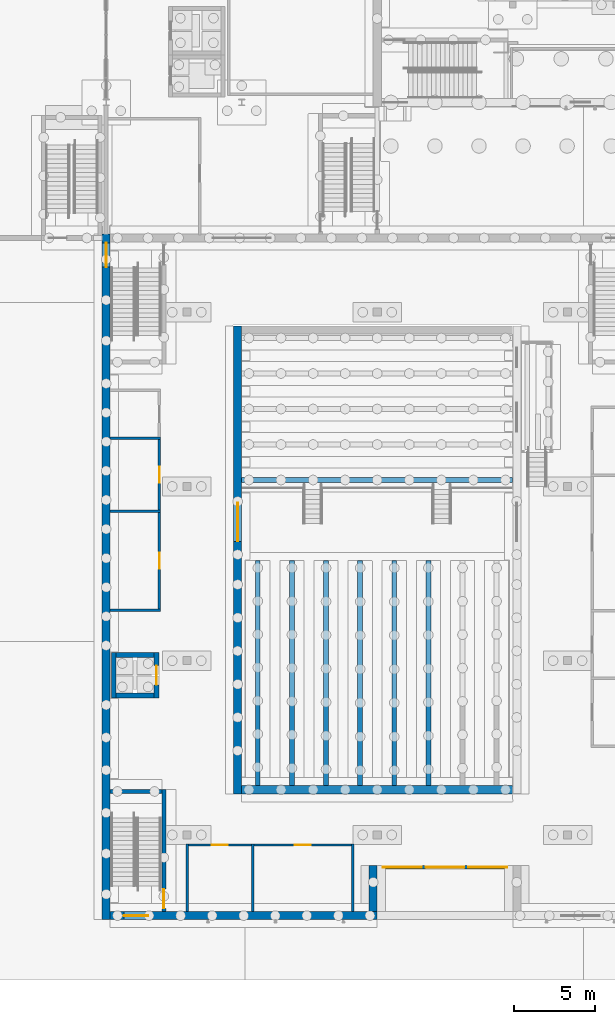
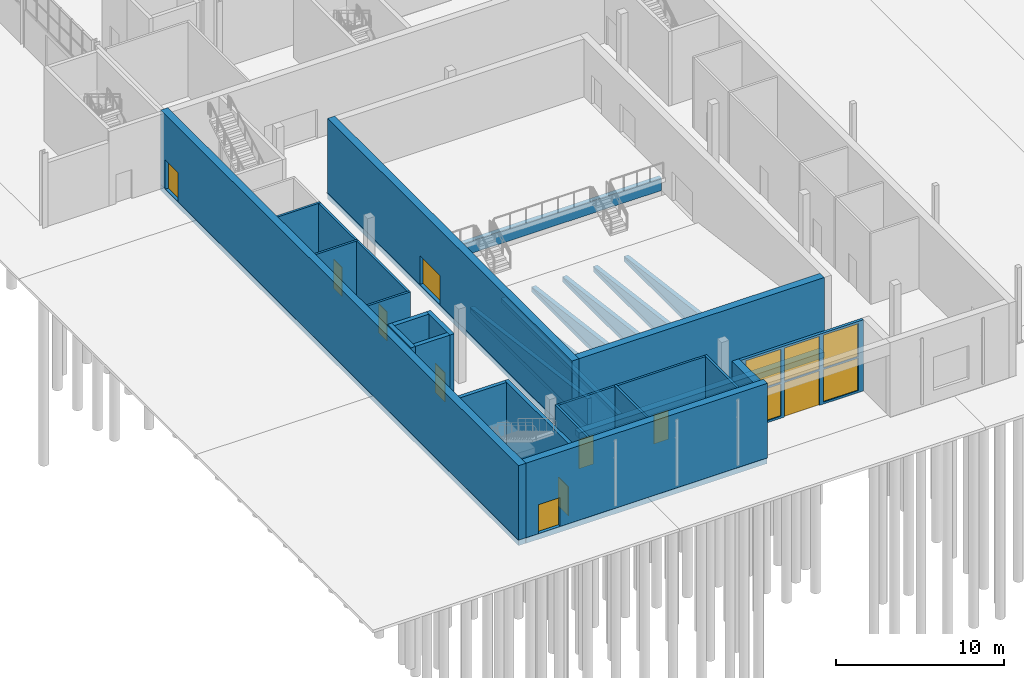
# One storey, part 57 of 127: 39 walls, 10 doors, 5 windows, 15 openings.
"""IFC4 building model written with IfcOpenShell, lengths in metres."""

from ifc_helpers import new_model, si_unit, direction, frame, frame_2d, origin, place, context, subcontext, project, spatial, polyline, rectangle, outline, extrude, material, layer, layer_set, type_object, element, fill, save


model = new_model("IFC4")

# Units and contexts
model_context = context("Model", 3, precision=1e-05, world=origin(), true_north=direction((0.0, 1.0)))
body_context = subcontext(model_context, "Body", "Model", "MODEL_VIEW")
ifc_project = project(units=[si_unit("LENGTHUNIT", "METRE"), si_unit("AREAUNIT", "SQUARE_METRE"), si_unit("VOLUMEUNIT", "CUBIC_METRE"), si_unit("PLANEANGLEUNIT", "RADIAN"), si_unit("MASSUNIT", "GRAM", prefix="KILO")], contexts=[model_context])

# Site, building, storey
site_placement = place(None, origin())
site = spatial("IfcSite", under=ifc_project, at=site_placement, CompositionType="ELEMENT")
building_placement = place(site_placement, origin())
building = spatial("IfcBuilding", under=site, at=building_placement, Name="Ljudholm Concert House", CompositionType="ELEMENT")
storey_placement = place(building_placement, origin())
storey = spatial("IfcBuildingStorey", under=building, at=storey_placement, Name="L00", CompositionType="ELEMENT", Elevation=0.0)

# Wall, opening, door
ifc_material_1 = material(Name="Gypsum board on steel studs", Category="steel")
ifc_layer_1 = layer(ifc_material_1, 0.14990234375)
ifc_layer_set_1 = layer_set([ifc_layer_1], Name="Gypsum board on steel studs")
wall_type_1 = type_object("IfcWallType", Name="GYPSUM PARTITION 150", PredefinedType="PARTITIONING", material=ifc_layer_set_1)
wall_1_placement = place(storey_placement, frame((17.5, 8.375, 0.0), z_axis=(0.0, 0.0, 1.0), x_axis=(1.0, 0.0, 0.0)))
wall_1 = element("IfcWall", 1, at=wall_1_placement, inside=storey, type_object=wall_type_1, Name="Box Office partition", PredefinedType="PARTITIONING", context=body_context, shape_type="SweptSolid", body=[
    extrude(rectangle(XDim=3.89990234375, YDim=0.14990234375, at=frame_2d((1.949951171875, 0.0))), origin(), (0.0, 0.0, 1.0), 5.14990234375),
])
opening_1_placement = place(wall_1_placement, frame((1.449951171875, 0.0, 0.0)))
opening_1 = element("IfcOpeningElement", 2, at=opening_1_placement, cuts=wall_1, Name="Opening D-C00-004", PredefinedType="OPENING", context=body_context, shape_type="SweptSolid", body=[
    extrude(rectangle(XDim=1.0, YDim=2.10009765625, at=frame_2d((0.5, 1.050048828125))), frame((0.0, 0.0849609375, 0.0), z_axis=(0.0, -1.0, 0.0), x_axis=(1.0, 0.0, 0.0)), (0.0, 0.0, 1.0), 0.169921875),
])
ifc_material_2 = material(Name="Hollow metal door in steel frame", Category="steel")
door_type_1 = type_object("IfcDoorType", Name="SWING DOOR 1000x2100", OperationType="SINGLE_SWING_LEFT", PredefinedType="DOOR", material=ifc_material_2)
door_1_placement = place(opening_1_placement, frame((1.0, 0.0, 0.0), z_axis=(0.0, 0.0, 1.0), x_axis=(-1.0, 0.0, 0.0)))
door_1 = element("IfcDoor", 3, at=door_1_placement, inside=storey, type_object=door_type_1, Name="Box Office door", OperationType="SINGLE_SWING_LEFT", OverallHeight=2.10009765625, OverallWidth=1.0, PredefinedType="DOOR", context=body_context, shape_type="SweptSolid", body=[
    extrude(rectangle(XDim=1.0, YDim=2.10009765625, at=frame_2d((0.5, 1.050048828125))), frame((0.0, 0.02490234375, 0.0), z_axis=(0.0, -1.0, 0.0), x_axis=(1.0, 0.0, 0.0)), (0.0, 0.0, 1.0), 0.050048828125),
])
fill(opening_1, door_1)

# Walls
for number, where, z_axis, x_axis, name in (
    (4, (17.425048828125, 4.25, 0.0), (0.0, 0.0, 1.0), (0.0, 1.0, 0.0), "Box Office partition"),
    (5, (21.47509765625, 4.25, 0.0), (0.0, 0.0, 1.0), (0.0, 1.0, 0.0), "Box Office partition"),
):
    element("IfcWall", number, at=place(storey_placement, frame(where, z_axis=z_axis, x_axis=x_axis)), inside=storey, type_object=wall_type_1, Name=name, PredefinedType="PARTITIONING", context=body_context, shape_type="SweptSolid", body=[
        extrude(rectangle(XDim=4.199951171875, YDim=0.14990234375, at=frame_2d((2.10009765625, 0.0))), origin(), (0.0, 0.0, 1.0), 5.14990234375),
    ])

# Wall, opening, door
wall_2_placement = place(storey_placement, frame((21.550048828125, 8.375, 0.0), z_axis=(0.0, 0.0, 1.0), x_axis=(1.0, 0.0, 0.0)))
wall_2 = element("IfcWall", 6, at=wall_2_placement, inside=storey, type_object=wall_type_1, Name="Cloakroom partition", PredefinedType="PARTITIONING", context=body_context, shape_type="SweptSolid", body=[
    extrude(rectangle(XDim=6.050048828125, YDim=0.14990234375, at=frame_2d((3.02490234375, 0.0))), origin(), (0.0, 0.0, 1.0), 5.14990234375),
])
opening_2_placement = place(wall_2_placement, frame((2.52490234375, 0.0, 0.0)))
opening_2 = element("IfcOpeningElement", 7, at=opening_2_placement, cuts=wall_2, Name="Opening D-C00-005", PredefinedType="OPENING", context=body_context, shape_type="SweptSolid", body=[
    extrude(rectangle(XDim=1.0, YDim=2.10009765625, at=frame_2d((0.5, 1.050048828125))), frame((0.0, 0.0849609375, 0.0), z_axis=(0.0, -1.0, 0.0), x_axis=(1.0, 0.0, 0.0)), (0.0, 0.0, 1.0), 0.169921875),
])
door_2_placement = place(opening_2_placement, frame((1.0, 0.0, 0.0), z_axis=(0.0, 0.0, 1.0), x_axis=(-1.0, 0.0, 0.0)))
door_2 = element("IfcDoor", 8, at=door_2_placement, inside=storey, type_object=door_type_1, Name="Cloakroom door", OperationType="SINGLE_SWING_LEFT", OverallHeight=2.10009765625, OverallWidth=1.0, PredefinedType="DOOR", context=body_context, shape_type="SweptSolid", body=[
    extrude(rectangle(XDim=1.0, YDim=2.10009765625, at=frame_2d((0.5, 1.050048828125))), frame((0.0, 0.02490234375, 0.0), z_axis=(0.0, -1.0, 0.0), x_axis=(1.0, 0.0, 0.0)), (0.0, 0.0, 1.0), 0.050048828125),
])
fill(opening_2, door_2)

# Wall
wall_3_placement = place(storey_placement, frame((27.675048828125, 4.25, 0.0), z_axis=(0.0, 0.0, 1.0), x_axis=(0.0, 1.0, 0.0)))
element("IfcWall", 9, at=wall_3_placement, inside=storey, type_object=wall_type_1, Name="Cloakroom partition", PredefinedType="PARTITIONING", context=body_context, shape_type="SweptSolid", body=[
    extrude(rectangle(XDim=4.199951171875, YDim=0.14990234375, at=frame_2d((2.10009765625, 0.0))), origin(), (0.0, 0.0, 1.0), 5.14990234375),
])

# Wall, opening, door
wall_4_placement = place(storey_placement, frame((15.699951171875, 23.0, 0.0), z_axis=(0.0, 0.0, 1.0), x_axis=(0.0, 1.0, 0.0)))
wall_4 = element("IfcWall", 10, at=wall_4_placement, inside=storey, type_object=wall_type_1, Name="Women's WC partition", PredefinedType="PARTITIONING", context=body_context, shape_type="SweptSolid", body=[
    extrude(rectangle(XDim=6.0, YDim=0.14990234375, at=frame_2d((3.0, 0.0))), origin(), (0.0, 0.0, 1.0), 5.14990234375),
])
opening_3_placement = place(wall_4_placement, frame((2.5, 0.0, 0.0)))
opening_3 = element("IfcOpeningElement", 11, at=opening_3_placement, cuts=wall_4, Name="Opening D-C00-006", PredefinedType="OPENING", context=body_context, shape_type="SweptSolid", body=[
    extrude(rectangle(XDim=1.0, YDim=2.10009765625, at=frame_2d((0.5, 1.050048828125))), frame((0.0, 0.0849609375, 0.0), z_axis=(0.0, -1.0, 0.0), x_axis=(1.0, 0.0, 0.0)), (0.0, 0.0, 1.0), 0.169921875),
])
door_3_placement = place(opening_3_placement, origin())
door_3 = element("IfcDoor", 12, at=door_3_placement, inside=storey, type_object=door_type_1, Name="Women's WC door", OperationType="SINGLE_SWING_RIGHT", OverallHeight=2.10009765625, OverallWidth=1.0, PredefinedType="DOOR", context=body_context, shape_type="SweptSolid", body=[
    extrude(rectangle(XDim=1.0, YDim=2.10009765625, at=frame_2d((0.5, 1.050048828125))), frame((0.0, 0.02490234375, 0.0), z_axis=(0.0, -1.0, 0.0), x_axis=(1.0, 0.0, 0.0)), (0.0, 0.0, 1.0), 0.050048828125),
])
fill(opening_3, door_3)

# Walls
for number, where, z_axis, x_axis, name in (
    (13, (12.64990234375, 22.925048828125, 0.0), (0.0, 0.0, 1.0), (1.0, 0.0, 0.0), "Women's WC partition"),
    (14, (12.64990234375, 29.074951171875, 0.0), (0.0, 0.0, 1.0), (1.0, 0.0, 0.0), "Women's WC partition"),
):
    element("IfcWall", number, at=place(storey_placement, frame(where, z_axis=z_axis, x_axis=x_axis)), inside=storey, type_object=wall_type_1, Name=name, PredefinedType="PARTITIONING", context=body_context, shape_type="SweptSolid", body=[
        extrude(rectangle(XDim=3.125, YDim=0.14990234375, at=frame_2d((1.5625, 0.0))), origin(), (0.0, 0.0, 1.0), 5.14990234375),
    ])

# Wall, opening, door
wall_5_placement = place(storey_placement, frame((15.699951171875, 29.14990234375, 0.0), z_axis=(0.0, 0.0, 1.0), x_axis=(0.0, 1.0, 0.0)))
wall_5 = element("IfcWall", 15, at=wall_5_placement, inside=storey, type_object=wall_type_1, Name="Men's WC partition", PredefinedType="PARTITIONING", context=body_context, shape_type="SweptSolid", body=[
    extrude(rectangle(XDim=4.35009765625, YDim=0.14990234375, at=frame_2d((2.175048828125, 0.0))), origin(), (0.0, 0.0, 1.0), 5.14990234375),
])
opening_4_placement = place(wall_5_placement, frame((1.675048828125, 0.0, 0.0)))
opening_4 = element("IfcOpeningElement", 16, at=opening_4_placement, cuts=wall_5, Name="Opening D-C00-007", PredefinedType="OPENING", context=body_context, shape_type="SweptSolid", body=[
    extrude(rectangle(XDim=1.0, YDim=2.10009765625, at=frame_2d((0.5, 1.050048828125))), frame((0.0, 0.0849609375, 0.0), z_axis=(0.0, -1.0, 0.0), x_axis=(1.0, 0.0, 0.0)), (0.0, 0.0, 1.0), 0.169921875),
])
door_4_placement = place(opening_4_placement, origin())
door_4 = element("IfcDoor", 17, at=door_4_placement, inside=storey, type_object=door_type_1, Name="Men's WC door", OperationType="SINGLE_SWING_RIGHT", OverallHeight=2.10009765625, OverallWidth=1.0, PredefinedType="DOOR", context=body_context, shape_type="SweptSolid", body=[
    extrude(rectangle(XDim=1.0, YDim=2.10009765625, at=frame_2d((0.5, 1.050048828125))), frame((0.0, 0.02490234375, 0.0), z_axis=(0.0, -1.0, 0.0), x_axis=(1.0, 0.0, 0.0)), (0.0, 0.0, 1.0), 0.050048828125),
])
fill(opening_4, door_4)

# Wall
wall_6_placement = place(storey_placement, frame((12.64990234375, 33.574951171875, 0.0), z_axis=(0.0, 0.0, 1.0), x_axis=(1.0, 0.0, 0.0)))
element("IfcWall", 18, at=wall_6_placement, inside=storey, type_object=wall_type_1, Name="Men's WC partition", PredefinedType="PARTITIONING", context=body_context, shape_type="SweptSolid", body=[
    extrude(rectangle(XDim=3.125, YDim=0.14990234375, at=frame_2d((1.5625, 0.0))), origin(), (0.0, 0.0, 1.0), 5.14990234375),
])

# Wall, opening, door
ifc_material_3 = material(Name="Concrete 6,500 psi", Category="concrete")
ifc_layer_2 = layer(ifc_material_3, 0.25)
ifc_layer_set_2 = layer_set([ifc_layer_2], Name="Concrete 6,500 psi")
wall_type_2 = type_object("IfcWallType", Name="RC WALL 250", PredefinedType="SOLIDWALL", material=ifc_layer_set_2)
wall_7_placement = place(storey_placement, frame((15.97509765625, 4.25, 0.0), z_axis=(0.0, 0.0, 1.0), x_axis=(0.0, 1.0, 0.0)))
wall_7 = element("IfcWall", 19, at=wall_7_placement, inside=storey, type_object=wall_type_2, Name="Stair enclosure wall EC1", PredefinedType="SOLIDWALL", context=body_context, shape_type="SweptSolid", body=[
    extrude(rectangle(XDim=7.570068359375, YDim=0.25, at=frame_2d((3.78515625, 0.0))), origin(), (0.0, 0.0, 1.0), 5.39990234375),
])
opening_5_placement = place(wall_7_placement, frame((0.199951171875, 0.0, 0.0)))
opening_5 = element("IfcOpeningElement", 20, at=opening_5_placement, cuts=wall_7, Name="Opening D-C00-013", PredefinedType="OPENING", context=body_context, shape_type="SweptSolid", body=[
    extrude(rectangle(XDim=1.199951171875, YDim=2.10009765625, at=frame_2d((0.60009765625, 1.050048828125))), frame((0.0, 0.135009765625, 0.0), z_axis=(0.0, -1.0, 0.0), x_axis=(1.0, 0.0, 0.0)), (0.0, 0.0, 1.0), 0.27001953125),
])
ifc_material_4 = material(Name="Hollow metal door in steel frame", Category="steel")
door_type_2 = type_object("IfcDoorType", Name="SWING DOOR 1200x2100", OperationType="SINGLE_SWING_LEFT", PredefinedType="DOOR", material=ifc_material_4)
door_5_placement = place(opening_5_placement, origin())
door_5 = element("IfcDoor", 21, at=door_5_placement, inside=storey, type_object=door_type_2, Name="Exit stair EC1 door", OperationType="SINGLE_SWING_RIGHT", OverallHeight=2.10009765625, OverallWidth=1.199951171875, PredefinedType="DOOR", context=body_context, shape_type="SweptSolid", body=[
    extrude(rectangle(XDim=1.199951171875, YDim=2.10009765625, at=frame_2d((0.60009765625, 1.050048828125))), frame((0.0, 0.02490234375, 0.0), z_axis=(0.0, -1.0, 0.0), x_axis=(1.0, 0.0, 0.0)), (0.0, 0.0, 1.0), 0.050048828125),
])
fill(opening_5, door_5)

# Walls
wall_8_placement = place(storey_placement, frame((12.64990234375, 11.695068359375, 0.0), z_axis=(0.0, 0.0, 1.0), x_axis=(1.0, 0.0, 0.0)))
element("IfcWall", 22, at=wall_8_placement, inside=storey, type_object=wall_type_2, Name="Stair enclosure wall EC1", PredefinedType="SOLIDWALL", context=body_context, shape_type="SweptSolid", body=[
    extrude(rectangle(XDim=3.2001953125, YDim=0.25, at=frame_2d((1.60009765625, 0.0))), origin(), (0.0, 0.0, 1.0), 5.39990234375),
])
ifc_material_5 = material(Name="Concrete 6,500 psi", Category="concrete")
ifc_layer_3 = layer(ifc_material_5, 0.300048828125)
ifc_layer_set_3 = layer_set([ifc_layer_3], Name="Concrete 6,500 psi")
wall_type_3 = type_object("IfcWallType", Name="RC WALL 300", PredefinedType="SOLIDWALL", material=ifc_layer_set_3)
wall_9_placement = place(storey_placement, frame((12.875, 17.5, 0.0), z_axis=(0.0, 0.0, 1.0), x_axis=(0.0, 1.0, 0.0)))
element("IfcWall", 23, at=wall_9_placement, inside=storey, type_object=wall_type_3, Name="Lift shaft wall", PredefinedType="SOLIDWALL", context=body_context, shape_type="SweptSolid", body=[
    extrude(rectangle(XDim=2.800048828125, YDim=0.300048828125, at=frame_2d((1.39990234375, 0.0))), origin(), (0.0, 0.0, 1.0), 5.39990234375),
])

# Wall, opening, door
wall_10_placement = place(storey_placement, frame((15.52490234375, 17.5, 0.0), z_axis=(0.0, 0.0, 1.0), x_axis=(0.0, 1.0, 0.0)))
wall_10 = element("IfcWall", 24, at=wall_10_placement, inside=storey, type_object=wall_type_3, Name="Lift shaft wall", PredefinedType="SOLIDWALL", context=body_context, shape_type="SweptSolid", body=[
    extrude(rectangle(XDim=2.800048828125, YDim=0.300048828125, at=frame_2d((1.39990234375, 0.0))), origin(), (0.0, 0.0, 1.0), 5.39990234375),
])
opening_6_placement = place(wall_10_placement, frame((0.800048828125, 0.0, 0.0)))
opening_6 = element("IfcOpeningElement", 25, at=opening_6_placement, cuts=wall_10, Name="Opening LD-C00-001", PredefinedType="OPENING", context=body_context, shape_type="SweptSolid", body=[
    extrude(rectangle(XDim=1.199951171875, YDim=2.10009765625, at=frame_2d((0.60009765625, 1.050048828125))), frame((0.0, 0.159912109375, 0.0), z_axis=(0.0, -1.0, 0.0), x_axis=(1.0, 0.0, 0.0)), (0.0, 0.0, 1.0), 0.320068359375),
])
ifc_material_6 = material(Name="Stainless steel sliding landing door, fire-rated", Category="steel")
door_type_3 = type_object("IfcDoorType", Name="LIFT DOOR 1200x2100", OperationType="SLIDING_TO_LEFT", PredefinedType="DOOR", material=ifc_material_6)
door_6_placement = place(opening_6_placement, origin())
door_6 = element("IfcDoor", 26, at=door_6_placement, inside=storey, type_object=door_type_3, Name="Lift landing door", OperationType="SLIDING_TO_LEFT", OverallHeight=2.10009765625, OverallWidth=1.199951171875, PredefinedType="DOOR", context=body_context, shape_type="SweptSolid", body=[
    extrude(rectangle(XDim=1.199951171875, YDim=2.10009765625, at=frame_2d((0.60009765625, 1.050048828125))), frame((0.0, 0.02490234375, 0.0), z_axis=(0.0, -1.0, 0.0), x_axis=(1.0, 0.0, 0.0)), (0.0, 0.0, 1.0), 0.050048828125),
])
fill(opening_6, door_6)

# Walls
for number, where, z_axis, x_axis, name in (
    (27, (13.02490234375, 17.64990234375, 0.0), (0.0, 0.0, 1.0), (1.0, 0.0, 0.0), "Lift shaft wall"),
    (28, (13.02490234375, 20.14990234375, 0.0), (0.0, 0.0, 1.0), (1.0, 0.0, 0.0), "Lift shaft wall"),
):
    element("IfcWall", number, at=place(storey_placement, frame(where, z_axis=z_axis, x_axis=x_axis)), inside=storey, type_object=wall_type_3, Name=name, PredefinedType="SOLIDWALL", context=body_context, shape_type="SweptSolid", body=[
        extrude(rectangle(XDim=2.35009765625, YDim=0.300048828125, at=frame_2d((1.175048828125, 0.0))), origin(), (0.0, 0.0, 1.0), 5.39990234375),
    ])
wall_11_placement = place(storey_placement, frame((20.800048828125, 31.0, 0.0), z_axis=(0.0, 0.0, 1.0), x_axis=(1.0, 0.0, 0.0)))
element("IfcWall", 29, at=wall_11_placement, inside=storey, type_object=wall_type_3, Name="Platform support wall", PredefinedType="SOLIDWALL", context=body_context, shape_type="SweptSolid", body=[
    extrude(rectangle(XDim=16.800048828125, YDim=0.300048828125, at=frame_2d((8.39990234375, 0.0))), origin(), (0.0, 0.0, 1.0), 0.89990234375),
])
for number, where, z_axis, x_axis, name in (
    (30, (21.800048828125, 12.050048828125, 0.0), (0.0, 0.0, 1.0), (0.0, 1.0, 0.0), "Stalls support wall"),
    (31, (23.914306640625, 12.050048828125, 0.0), (0.0, 0.0, 1.0), (0.0, 1.0, 0.0), "Stalls support wall"),
    (32, (26.028564453125, 12.050048828125, 0.0), (0.0, 0.0, 1.0), (0.0, 1.0, 0.0), "Stalls support wall"),
    (33, (28.142822265625, 12.050048828125, 0.0), (0.0, 0.0, 1.0), (0.0, 1.0, 0.0), "Stalls support wall"),
    (34, (30.257080078125, 12.050048828125, 0.0), (0.0, 0.0, 1.0), (0.0, 1.0, 0.0), "Stalls support wall"),
    (35, (32.371337890625, 12.050048828125, 0.0), (0.0, 0.0, 1.0), (0.0, 1.0, 0.0), "Stalls support wall"),
):
    element("IfcWall", number, at=place(storey_placement, frame(where, z_axis=z_axis, x_axis=x_axis)), inside=storey, type_object=wall_type_3, Name=name, PredefinedType="SOLIDWALL", context=body_context, shape_type="SweptSolid", body=[
        extrude(outline(polyline([(0.0, 0.0), (13.949951171875, 0.0), (13.949951171875, 0.06494140625), (0.0, 1.87841796875), (0.0, 0.0)])), frame((0.0, 0.14990234375, 0.0), z_axis=(0.0, -1.0, 0.0), x_axis=(1.0, 0.0, 0.0)), (0.0, 0.0, 1.0), 0.300048828125),
    ])
for number, where, z_axis, x_axis, name in (
    (36, (21.800048828125, 12.050048828125, -0.300048828125), (0.0, 0.0, 1.0), (0.0, 1.0, 0.0), "Wall stem"),
    (37, (23.914306640625, 12.050048828125, -0.300048828125), (0.0, 0.0, 1.0), (0.0, 1.0, 0.0), "Wall stem"),
    (38, (26.028564453125, 12.050048828125, -0.300048828125), (0.0, 0.0, 1.0), (0.0, 1.0, 0.0), "Wall stem"),
    (39, (28.142822265625, 12.050048828125, -0.300048828125), (0.0, 0.0, 1.0), (0.0, 1.0, 0.0), "Wall stem"),
    (40, (30.257080078125, 12.050048828125, -0.300048828125), (0.0, 0.0, 1.0), (0.0, 1.0, 0.0), "Wall stem"),
    (41, (32.371337890625, 12.050048828125, -0.300048828125), (0.0, 0.0, 1.0), (0.0, 1.0, 0.0), "Wall stem"),
):
    element("IfcWall", number, at=place(storey_placement, frame(where, z_axis=z_axis, x_axis=x_axis)), inside=storey, type_object=wall_type_3, Name=name, PredefinedType="SOLIDWALL", context=body_context, shape_type="SweptSolid", body=[
        extrude(rectangle(XDim=13.929931640625, YDim=0.300048828125, at=frame_2d((6.96484375, 0.0))), origin(), (0.0, 0.0, 1.0), 0.300048828125),
    ])

# Wall, opening, door
ifc_material_7 = material(Name="Concrete 6,500 psi", Category="concrete")
ifc_layer_4 = layer(ifc_material_7, 0.5)
ifc_layer_set_4 = layer_set([ifc_layer_4], Name="Concrete 6,500 psi")
wall_type_4 = type_object("IfcWallType", Name="RC WALL 500", PredefinedType="SOLIDWALL", material=ifc_layer_set_4)
wall_12_placement = place(storey_placement, frame((12.39990234375, 3.75, 0.0), z_axis=(0.0, 0.0, 1.0), x_axis=(0.0, 1.0, 0.0)))
wall_12 = element("IfcWall", 42, at=wall_12_placement, inside=storey, type_object=wall_type_4, Name="Outer wall W", PredefinedType="SOLIDWALL", context=body_context, shape_type="SweptSolid", body=[
    extrude(rectangle(XDim=42.5, YDim=0.5, at=frame_2d((21.25, 0.0))), origin(), (0.0, 0.0, 1.0), 5.39990234375),
])
opening_7_placement = place(wall_12_placement, frame((40.449951171875, 0.0, 0.0)))
opening_7 = element("IfcOpeningElement", 43, at=opening_7_placement, cuts=wall_12, Name="Opening D-C00-016", PredefinedType="OPENING", context=body_context, shape_type="SweptSolid", body=[
    extrude(rectangle(XDim=1.5, YDim=2.10009765625, at=frame_2d((0.75, 1.050048828125))), frame((0.0, 0.260009765625, 0.0), z_axis=(0.0, -1.0, 0.0), x_axis=(1.0, 0.0, 0.0)), (0.0, 0.0, 1.0), 0.52001953125),
])
ifc_material_8 = material(Name="Hollow metal door in steel frame", Category="steel")
door_type_4 = type_object("IfcDoorType", Name="DOUBLE DOOR 1500x2100", OperationType="DOUBLE_DOOR_SINGLE_SWING", PredefinedType="DOOR", material=ifc_material_8)
door_7_placement = place(opening_7_placement, origin())
door_7 = element("IfcDoor", 44, at=door_7_placement, inside=storey, type_object=door_type_4, Name="Final exit EC2", OperationType="DOUBLE_DOOR_SINGLE_SWING", OverallHeight=2.10009765625, OverallWidth=1.5, PredefinedType="DOOR", context=body_context, shape_type="SweptSolid", body=[
    extrude(rectangle(XDim=1.5, YDim=2.10009765625, at=frame_2d((0.75, 1.050048828125))), frame((0.0, 0.02490234375, 0.0), z_axis=(0.0, -1.0, 0.0), x_axis=(1.0, 0.0, 0.0)), (0.0, 0.0, 1.0), 0.050048828125),
])
fill(opening_7, door_7)

wall_13_placement = place(storey_placement, frame((12.64990234375, 4.0, 0.0), z_axis=(0.0, 0.0, 1.0), x_axis=(1.0, 0.0, 0.0)))
wall_13 = element("IfcWall", 45, at=wall_13_placement, inside=storey, type_object=wall_type_4, Name="Outer wall S", PredefinedType="SOLIDWALL", context=body_context, shape_type="SweptSolid", body=[
    extrude(rectangle(XDim=16.550048828125, YDim=0.5, at=frame_2d((8.27490234375, 0.0))), origin(), (0.0, 0.0, 1.0), 5.39990234375),
])
opening_8_placement = place(wall_13_placement, frame((0.85009765625, 0.0, 0.0)))
opening_8 = element("IfcOpeningElement", 46, at=opening_8_placement, cuts=wall_13, Name="Opening D-C00-014", PredefinedType="OPENING", context=body_context, shape_type="SweptSolid", body=[
    extrude(rectangle(XDim=1.5, YDim=2.10009765625, at=frame_2d((0.75, 1.050048828125))), frame((0.0, 0.260009765625, 0.0), z_axis=(0.0, -1.0, 0.0), x_axis=(1.0, 0.0, 0.0)), (0.0, 0.0, 1.0), 0.52001953125),
])
door_8_placement = place(opening_8_placement, frame((1.5, 0.0, 0.0), z_axis=(0.0, 0.0, 1.0), x_axis=(-1.0, 0.0, 0.0)))
door_8 = element("IfcDoor", 47, at=door_8_placement, inside=storey, type_object=door_type_4, Name="Final exit EC1", OperationType="DOUBLE_DOOR_SINGLE_SWING", OverallHeight=2.10009765625, OverallWidth=1.5, PredefinedType="DOOR", context=body_context, shape_type="SweptSolid", body=[
    extrude(rectangle(XDim=1.5, YDim=2.10009765625, at=frame_2d((0.75, 1.050048828125))), frame((0.0, 0.02490234375, 0.0), z_axis=(0.0, -1.0, 0.0), x_axis=(1.0, 0.0, 0.0)), (0.0, 0.0, 1.0), 0.050048828125),
])
fill(opening_8, door_8)

# Wall
wall_14_placement = place(storey_placement, frame((28.949951171875, 4.25, 0.0), z_axis=(0.0, 0.0, 1.0), x_axis=(0.0, 1.0, 0.0)))
element("IfcWall", 48, at=wall_14_placement, inside=storey, type_object=wall_type_4, Name="Porch return wall", PredefinedType="SOLIDWALL", context=body_context, shape_type="SweptSolid", body=[
    extrude(rectangle(XDim=2.85009765625, YDim=0.5, at=frame_2d((1.425048828125, 0.0))), origin(), (0.0, 0.0, 1.0), 5.14990234375),
])

# Wall, opening, door
ifc_material_9 = material(Name="Concrete 6,500 psi", Category="concrete")
ifc_layer_5 = layer(ifc_material_9, 0.5)
ifc_layer_set_5 = layer_set([ifc_layer_5], Name="Concrete 6,500 psi")
wall_type_5 = type_object("IfcWallType", Name="RC WALL 500 INTERNAL", PredefinedType="SOLIDWALL", material=ifc_layer_set_5)
wall_15_placement = place(storey_placement, frame((20.550048828125, 11.550048828125, 0.0), z_axis=(0.0, 0.0, 1.0), x_axis=(0.0, 1.0, 0.0)))
wall_15 = element("IfcWall", 49, at=wall_15_placement, inside=storey, type_object=wall_type_5, Name="Inner box wall W", PredefinedType="SOLIDWALL", context=body_context, shape_type="SweptSolid", body=[
    extrude(rectangle(XDim=29.0, YDim=0.5, at=frame_2d((14.5, 0.0))), origin(), (0.0, 0.0, 1.0), 5.39990234375),
])
opening_9_placement = place(wall_15_placement, frame((15.64990234375, 0.0, 0.0)))
opening_9 = element("IfcOpeningElement", 50, at=opening_9_placement, cuts=wall_15, Name="Opening D-C00-020", PredefinedType="OPENING", context=body_context, shape_type="SweptSolid", body=[
    extrude(rectangle(XDim=2.39990234375, YDim=2.10009765625, at=frame_2d((1.199951171875, 1.050048828125))), frame((0.0, 0.260009765625, 0.0), z_axis=(0.0, -1.0, 0.0), x_axis=(1.0, 0.0, 0.0)), (0.0, 0.0, 1.0), 0.52001953125),
])
ifc_material_10 = material(Name="Hollow metal door in steel frame", Category="steel")
door_type_5 = type_object("IfcDoorType", Name="DOUBLE DOOR 2400x2100", OperationType="DOUBLE_DOOR_SINGLE_SWING", PredefinedType="DOOR", material=ifc_material_10)
door_9_placement = place(opening_9_placement, frame((2.39990234375, 0.0, 0.0), z_axis=(0.0, 0.0, 1.0), x_axis=(-1.0, 0.0, 0.0)))
door_9 = element("IfcDoor", 51, at=door_9_placement, inside=storey, type_object=door_type_5, Name="Hall door", OperationType="DOUBLE_DOOR_SINGLE_SWING", OverallHeight=2.10009765625, OverallWidth=2.39990234375, PredefinedType="DOOR", context=body_context, shape_type="SweptSolid", body=[
    extrude(rectangle(XDim=2.39990234375, YDim=2.10009765625, at=frame_2d((1.199951171875, 1.050048828125))), frame((0.0, 0.02490234375, 0.0), z_axis=(0.0, -1.0, 0.0), x_axis=(1.0, 0.0, 0.0)), (0.0, 0.0, 1.0), 0.050048828125),
])
fill(opening_9, door_9)

# Walls
wall_16_placement = place(storey_placement, frame((20.800048828125, 11.800048828125, 0.0), z_axis=(0.0, 0.0, 1.0), x_axis=(1.0, 0.0, 0.0)))
element("IfcWall", 52, at=wall_16_placement, inside=storey, type_object=wall_type_5, Name="Inner box wall S", PredefinedType="SOLIDWALL", context=body_context, shape_type="SweptSolid", body=[
    extrude(rectangle(XDim=16.800048828125, YDim=0.5, at=frame_2d((8.39990234375, 0.0))), origin(), (0.0, 0.0, 1.0), 5.39990234375),
])
wall_17_placement = place(storey_placement, frame((12.39990234375, 3.77001953125, -0.409912109375), z_axis=(0.0, 0.0, 1.0), x_axis=(0.0, 1.0, 0.0)))
element("IfcWall", 53, at=wall_17_placement, inside=storey, type_object=wall_type_5, Name="Wall stem", PredefinedType="SOLIDWALL", context=body_context, shape_type="SweptSolid", body=[
    extrude(rectangle(XDim=42.4599609375, YDim=0.5, at=frame_2d((21.22998046875, 0.0))), origin(), (0.0, 0.0, 1.0), 0.409912109375),
])
wall_18_placement = place(storey_placement, frame((12.64990234375, 4.0, -0.409912109375), z_axis=(0.0, 0.0, 1.0), x_axis=(1.0, 0.0, 0.0)))
element("IfcWall", 54, at=wall_18_placement, inside=storey, type_object=wall_type_5, Name="Wall stem", PredefinedType="SOLIDWALL", context=body_context, shape_type="SweptSolid", body=[
    extrude(rectangle(XDim=16.530029296875, YDim=0.5, at=frame_2d((8.26513671875, 0.0))), origin(), (0.0, 0.0, 1.0), 0.409912109375),
])
wall_19_placement = place(storey_placement, frame((20.550048828125, 11.570068359375, -0.409912109375), z_axis=(0.0, 0.0, 1.0), x_axis=(0.0, 1.0, 0.0)))
element("IfcWall", 55, at=wall_19_placement, inside=storey, type_object=wall_type_5, Name="Wall stem", PredefinedType="SOLIDWALL", context=body_context, shape_type="SweptSolid", body=[
    extrude(rectangle(XDim=28.9599609375, YDim=0.5, at=frame_2d((14.47998046875, 0.0))), origin(), (0.0, 0.0, 1.0), 0.409912109375),
])
wall_20_placement = place(storey_placement, frame((20.800048828125, 11.800048828125, -0.409912109375), z_axis=(0.0, 0.0, 1.0), x_axis=(1.0, 0.0, 0.0)))
element("IfcWall", 56, at=wall_20_placement, inside=storey, type_object=wall_type_5, Name="Wall stem", PredefinedType="SOLIDWALL", context=body_context, shape_type="SweptSolid", body=[
    extrude(rectangle(XDim=16.800048828125, YDim=0.5, at=frame_2d((8.39990234375, 0.0))), origin(), (0.0, 0.0, 1.0), 0.409912109375),
])

# Wall, openings, door, windows
ifc_material_11 = material(Name="Aluminium storefront framing, timber-grain PVDF finish", Category="aluminium")
ifc_layer_6 = layer(ifc_material_11, 0.199951171875)
ifc_layer_set_6 = layer_set([ifc_layer_6], Name="Aluminium storefront framing, timber-grain PVDF finish")
wall_type_6 = type_object("IfcWallType", Name="STOREFRONT WALL 200", PredefinedType="PARTITIONING", material=ifc_layer_set_6)
wall_21_placement = place(storey_placement, frame((29.199951171875, 7.0, 0.0), z_axis=(0.0, 0.0, 1.0), x_axis=(1.0, 0.0, 0.0)))
wall_21 = element("IfcWall", 57, at=wall_21_placement, inside=storey, type_object=wall_type_6, Name="Glazed entrance wall", PredefinedType="PARTITIONING", context=body_context, shape_type="SweptSolid", body=[
    extrude(rectangle(XDim=8.400146484375, YDim=0.199951171875, at=frame_2d((4.2001953125, 0.0))), origin(), (0.0, 0.0, 1.0), 5.14990234375),
])
opening_10_placement = place(wall_21_placement, frame((3.0, 0.0, 0.0)))
opening_10 = element("IfcOpeningElement", 58, at=opening_10_placement, cuts=wall_21, Name="Opening D-C00-002", PredefinedType="OPENING", context=body_context, shape_type="SweptSolid", body=[
    extrude(rectangle(XDim=2.39990234375, YDim=2.5, at=frame_2d((1.199951171875, 1.25))), frame((0.0, 0.10986328125, 0.0), z_axis=(0.0, -1.0, 0.0), x_axis=(1.0, 0.0, 0.0)), (0.0, 0.0, 1.0), 0.219970703125),
])
opening_11_placement = place(wall_21_placement, frame((0.35009765625, 0.0, 0.14990234375)))
opening_11 = element("IfcOpeningElement", 59, at=opening_11_placement, cuts=wall_21, Name="Opening X-C00-001", PredefinedType="OPENING", context=body_context, shape_type="SweptSolid", body=[
    extrude(rectangle(XDim=2.39990234375, YDim=2.35009765625, at=frame_2d((1.199951171875, 1.175048828125))), frame((0.0, 0.10986328125, 0.0), z_axis=(0.0, -1.0, 0.0), x_axis=(1.0, 0.0, 0.0)), (0.0, 0.0, 1.0), 0.219970703125),
])
opening_12_placement = place(wall_21_placement, frame((5.64990234375, 0.0, 0.14990234375)))
opening_12 = element("IfcOpeningElement", 60, at=opening_12_placement, cuts=wall_21, Name="Opening X-C00-002", PredefinedType="OPENING", context=body_context, shape_type="SweptSolid", body=[
    extrude(rectangle(XDim=2.39990234375, YDim=2.35009765625, at=frame_2d((1.199951171875, 1.175048828125))), frame((0.0, 0.10986328125, 0.0), z_axis=(0.0, -1.0, 0.0), x_axis=(1.0, 0.0, 0.0)), (0.0, 0.0, 1.0), 0.219970703125),
])
opening_13_placement = place(wall_21_placement, frame((0.35009765625, 0.0, 2.60009765625)))
opening_13 = element("IfcOpeningElement", 61, at=opening_13_placement, cuts=wall_21, Name="Opening X-C00-003", PredefinedType="OPENING", context=body_context, shape_type="SweptSolid", body=[
    extrude(rectangle(XDim=2.39990234375, YDim=2.39990234375, at=frame_2d((1.199951171875, 1.199951171875))), frame((0.0, 0.10986328125, 0.0), z_axis=(0.0, -1.0, 0.0), x_axis=(1.0, 0.0, 0.0)), (0.0, 0.0, 1.0), 0.219970703125),
])
opening_14_placement = place(wall_21_placement, frame((3.0, 0.0, 2.60009765625)))
opening_14 = element("IfcOpeningElement", 62, at=opening_14_placement, cuts=wall_21, Name="Opening X-C00-004", PredefinedType="OPENING", context=body_context, shape_type="SweptSolid", body=[
    extrude(rectangle(XDim=2.39990234375, YDim=2.39990234375, at=frame_2d((1.199951171875, 1.199951171875))), frame((0.0, 0.10986328125, 0.0), z_axis=(0.0, -1.0, 0.0), x_axis=(1.0, 0.0, 0.0)), (0.0, 0.0, 1.0), 0.219970703125),
])
opening_15_placement = place(wall_21_placement, frame((5.64990234375, 0.0, 2.60009765625)))
opening_15 = element("IfcOpeningElement", 63, at=opening_15_placement, cuts=wall_21, Name="Opening X-C00-005", PredefinedType="OPENING", context=body_context, shape_type="SweptSolid", body=[
    extrude(rectangle(XDim=2.39990234375, YDim=2.39990234375, at=frame_2d((1.199951171875, 1.199951171875))), frame((0.0, 0.10986328125, 0.0), z_axis=(0.0, -1.0, 0.0), x_axis=(1.0, 0.0, 0.0)), (0.0, 0.0, 1.0), 0.219970703125),
])
ifc_material_12 = material(Name="Aluminium-framed glazed door, impact-rated", Category="aluminium")
door_type_6 = type_object("IfcDoorType", Name="DOUBLE DOOR 2400x2500", OperationType="DOUBLE_DOOR_SINGLE_SWING", PredefinedType="DOOR", material=ifc_material_12)
door_10_placement = place(opening_10_placement, frame((2.39990234375, 0.0, 0.0), z_axis=(0.0, 0.0, 1.0), x_axis=(-1.0, 0.0, 0.0)))
door_10 = element("IfcDoor", 64, at=door_10_placement, inside=storey, type_object=door_type_6, Name="Main entrance", OperationType="DOUBLE_DOOR_SINGLE_SWING", OverallHeight=2.5, OverallWidth=2.39990234375, PredefinedType="DOOR", context=body_context, shape_type="SweptSolid", body=[
    extrude(rectangle(XDim=2.39990234375, YDim=2.5, at=frame_2d((1.199951171875, 1.25))), frame((0.0, 0.02490234375, 0.0), z_axis=(0.0, -1.0, 0.0), x_axis=(1.0, 0.0, 0.0)), (0.0, 0.0, 1.0), 0.050048828125),
])
fill(opening_10, door_10)
ifc_material_13 = material(Name="Aluminium frame, impact glazing", Category="aluminium")
window_type_1 = type_object("IfcWindowType", Name="FIXED WINDOW 2400x2350", PartitioningType="SINGLE_PANEL", PredefinedType="WINDOW", material=ifc_material_13)
window_1_placement = place(opening_11_placement, origin())
window_1 = element("IfcWindow", 65, at=window_1_placement, inside=storey, type_object=window_type_1, Name="Entrance side light", OverallHeight=2.35009765625, OverallWidth=2.39990234375, PartitioningType="SINGLE_PANEL", PredefinedType="WINDOW", context=body_context, shape_type="SweptSolid", body=[
    extrude(rectangle(XDim=2.39990234375, YDim=2.35009765625, at=frame_2d((1.199951171875, 1.175048828125))), frame((0.0, 0.030029296875, 0.0), z_axis=(0.0, -1.0, 0.0), x_axis=(1.0, 0.0, 0.0)), (0.0, 0.0, 1.0), 0.06005859375),
])
fill(opening_11, window_1)
window_2_placement = place(opening_12_placement, origin())
window_2 = element("IfcWindow", 66, at=window_2_placement, inside=storey, type_object=window_type_1, Name="Entrance side light", OverallHeight=2.35009765625, OverallWidth=2.39990234375, PartitioningType="SINGLE_PANEL", PredefinedType="WINDOW", context=body_context, shape_type="SweptSolid", body=[
    extrude(rectangle(XDim=2.39990234375, YDim=2.35009765625, at=frame_2d((1.199951171875, 1.175048828125))), frame((0.0, 0.030029296875, 0.0), z_axis=(0.0, -1.0, 0.0), x_axis=(1.0, 0.0, 0.0)), (0.0, 0.0, 1.0), 0.06005859375),
])
fill(opening_12, window_2)
ifc_material_14 = material(Name="Aluminium frame, impact glazing", Category="aluminium")
window_type_2 = type_object("IfcWindowType", Name="FIXED WINDOW 2400x2400", PartitioningType="SINGLE_PANEL", PredefinedType="WINDOW", material=ifc_material_14)
window_3_placement = place(opening_13_placement, origin())
window_3 = element("IfcWindow", 67, at=window_3_placement, inside=storey, type_object=window_type_2, Name="Entrance transom", OverallHeight=2.39990234375, OverallWidth=2.39990234375, PartitioningType="SINGLE_PANEL", PredefinedType="WINDOW", context=body_context, shape_type="SweptSolid", body=[
    extrude(rectangle(XDim=2.39990234375, YDim=2.39990234375, at=frame_2d((1.199951171875, 1.199951171875))), frame((0.0, 0.030029296875, 0.0), z_axis=(0.0, -1.0, 0.0), x_axis=(1.0, 0.0, 0.0)), (0.0, 0.0, 1.0), 0.06005859375),
])
fill(opening_13, window_3)
window_4_placement = place(opening_14_placement, origin())
window_4 = element("IfcWindow", 68, at=window_4_placement, inside=storey, type_object=window_type_2, Name="Entrance transom", OverallHeight=2.39990234375, OverallWidth=2.39990234375, PartitioningType="SINGLE_PANEL", PredefinedType="WINDOW", context=body_context, shape_type="SweptSolid", body=[
    extrude(rectangle(XDim=2.39990234375, YDim=2.39990234375, at=frame_2d((1.199951171875, 1.199951171875))), frame((0.0, 0.030029296875, 0.0), z_axis=(0.0, -1.0, 0.0), x_axis=(1.0, 0.0, 0.0)), (0.0, 0.0, 1.0), 0.06005859375),
])
fill(opening_14, window_4)
window_5_placement = place(opening_15_placement, origin())
window_5 = element("IfcWindow", 69, at=window_5_placement, inside=storey, type_object=window_type_2, Name="Entrance transom", OverallHeight=2.39990234375, OverallWidth=2.39990234375, PartitioningType="SINGLE_PANEL", PredefinedType="WINDOW", context=body_context, shape_type="SweptSolid", body=[
    extrude(rectangle(XDim=2.39990234375, YDim=2.39990234375, at=frame_2d((1.199951171875, 1.199951171875))), frame((0.0, 0.030029296875, 0.0), z_axis=(0.0, -1.0, 0.0), x_axis=(1.0, 0.0, 0.0)), (0.0, 0.0, 1.0), 0.06005859375),
])
fill(opening_15, window_5)

save(model, "model.ifc")
